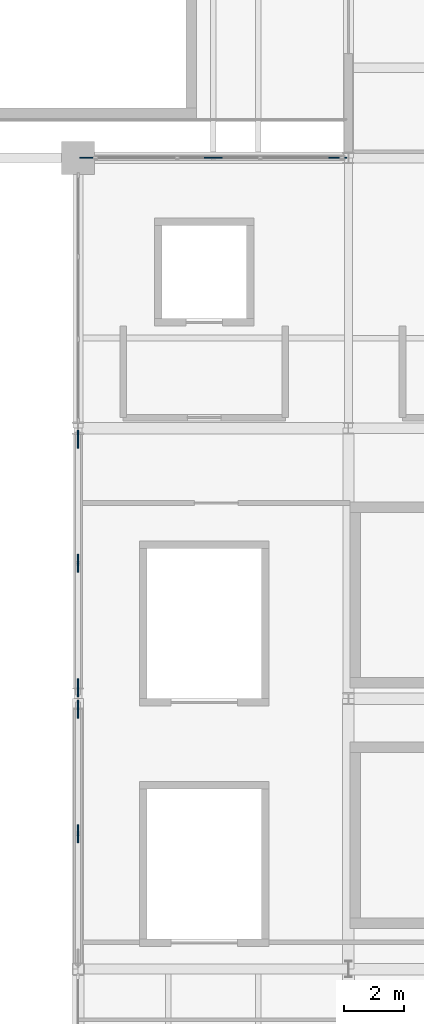
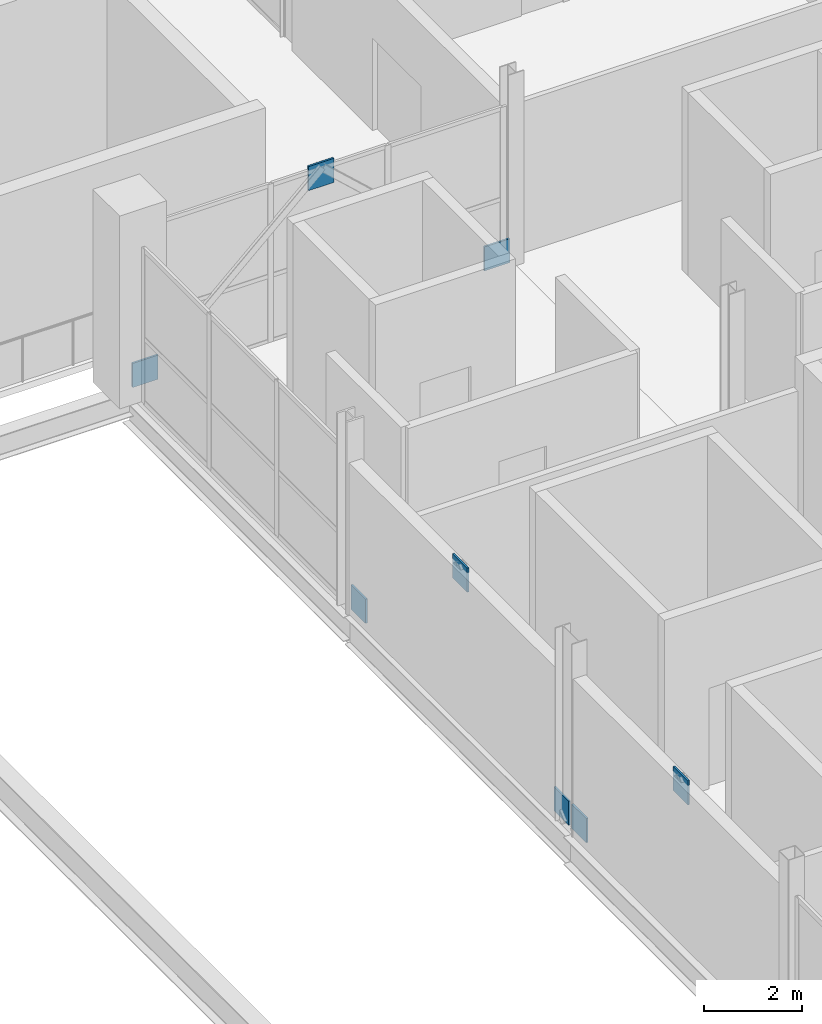
# One storey, part 38 of 50: 8 plates.
"""IFC4 building model written with IfcOpenShell, lengths in metres."""

from ifc_helpers import new_model, si_unit, direction, frame, origin, origin_2d, place, context, subcontext, project, spatial, rectangle, extrude, material, layer, layer_set, type_object, element, save


model = new_model("IFC4")

# Units and contexts
model_context = context("Model", 3, precision=1e-05, world=origin(), true_north=direction((0.0, 1.0)))
body_context = subcontext(model_context, "Body", "Model", "MODEL_VIEW")
ifc_project = project(units=[si_unit("LENGTHUNIT", "METRE"), si_unit("AREAUNIT", "SQUARE_METRE"), si_unit("VOLUMEUNIT", "CUBIC_METRE"), si_unit("PLANEANGLEUNIT", "RADIAN"), si_unit("MASSUNIT", "GRAM", prefix="KILO")], contexts=[model_context])

# Site, building, storey
site_placement = place(None, origin())
site = spatial("IfcSite", under=ifc_project, at=site_placement, CompositionType="ELEMENT")
building_placement = place(site_placement, origin())
building = spatial("IfcBuilding", under=site, at=building_placement, Name="Qamarlyn Nura Convention Centre", CompositionType="ELEMENT")
storey_placement = place(building_placement, frame((0.0, 0.0, 20.39990234375)))
storey = spatial("IfcBuildingStorey", under=building, at=storey_placement, Name="L04", CompositionType="ELEMENT", Elevation=20.39990234375)

# Plates
ifc_material = material(Name="Structural steel ASTM A572 Grade 50", Category="steel")
ifc_layer = layer(ifc_material, 0.044921875, Name="GP-TN1")
ifc_layer_set = layer_set([ifc_layer], Name="Structural steel ASTM A572 Grade 50")
plate_type = type_object("IfcPlateType", Name="GP-TN1", PredefinedType="USERDEFINED", material=ifc_layer_set)
for number, where, z_axis, x_axis, name in (
    (1, (153.0, 63.360107421875, 0.0), (0.0, 0.0, 1.0), (0.0, 1.0, 0.0), "SCBF chevron brace gusset plate CBF-E2-L04-A"),
    (2, (153.0, 71.639892578125, 0.0), (0.0, 0.0, 1.0), (0.0, 1.0, 0.0), "SCBF chevron brace gusset plate CBF-E2-L04-B"),
    (3, (153.0, 67.5, 3.287109375), (0.0, 0.0, 1.0), (0.0, 1.0, 0.0), "SCBF chevron brace gusset plate CBF-E2-L04-M"),
    (4, (153.0, 62.639892578125, 0.0), (0.0, 0.0, 1.0), (0.0, 1.0, 0.0), "SCBF chevron brace gusset plate CBF-E3-L04-B"),
    (5, (153.0, 58.5, 3.448974609375), (0.0, 0.0, 1.0), (0.0, 1.0, 0.0), "SCBF chevron brace gusset plate CBF-E3-L04-M"),
    (6, (153.360107421875, 81.0, 0.0), (0.0, 0.0, 1.0), (1.0, 0.0, 0.0), "SCBF chevron brace gusset plate CBF-N1-L04-A"),
    (7, (161.639892578125, 81.0, 0.0), (0.0, 0.0, 1.0), (1.0, 0.0, 0.0), "SCBF chevron brace gusset plate CBF-N1-L04-B"),
    (8, (157.5, 81.0, 3.448974609375), (0.0, 0.0, 1.0), (1.0, 0.0, 0.0), "SCBF chevron brace gusset plate CBF-N1-L04-M"),
):
    element("IfcPlate", number, at=place(storey_placement, frame(where, z_axis=z_axis, x_axis=x_axis)), inside=storey, type_object=plate_type, Name=name, ObjectType="GUSSET PLATE", PredefinedType="USERDEFINED", context=body_context, shape_type="SweptSolid", body=[
        extrude(rectangle(XDim=0.60009765625, YDim=0.044921875, at=origin_2d()), origin(), (0.0, 0.0, 1.0), 0.60009765625),
    ])

save(model, "model.ifc")
